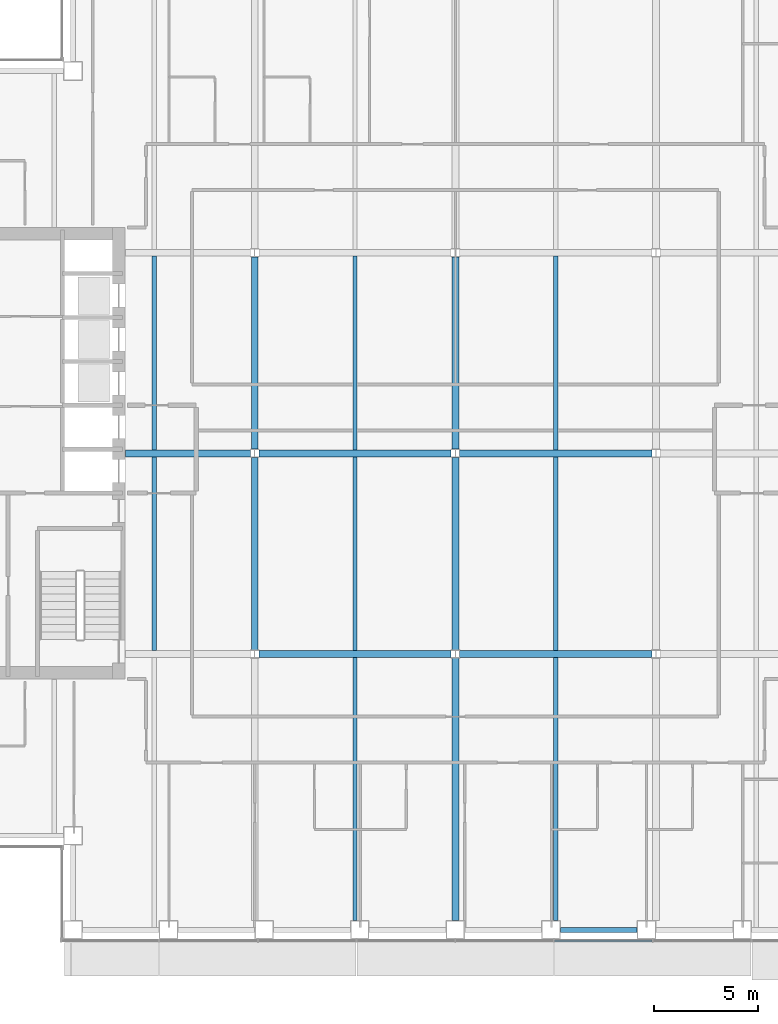
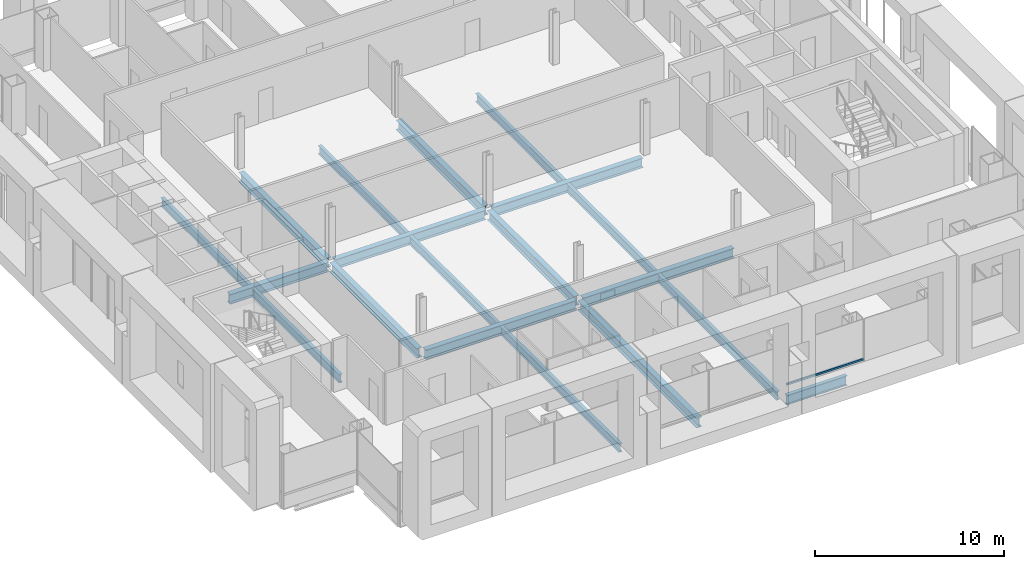
# One storey, part 3 of 19: 19 beams, 1 member, 1 element without a shape of its own.
"""IFC4 building model written with IfcOpenShell, lengths in metres."""

from ifc_helpers import new_model, si_unit, direction, frame, origin, origin_2d, place, context, subcontext, project, spatial, rectangle, i_section, extrude, material, material_profile, profile_set, type_object, element, aggregate, save


model = new_model("IFC4")

# Units and contexts
model_context = context("Model", 3, precision=1e-05, world=origin(), true_north=direction((0.0, 1.0)))
body_context = subcontext(model_context, "Body", "Model", "MODEL_VIEW")
ifc_project = project(units=[si_unit("LENGTHUNIT", "METRE"), si_unit("AREAUNIT", "SQUARE_METRE"), si_unit("VOLUMEUNIT", "CUBIC_METRE"), si_unit("PLANEANGLEUNIT", "RADIAN"), si_unit("MASSUNIT", "GRAM", prefix="KILO")], contexts=[model_context])

# Site, building, storey
site_placement = place(None, origin())
site = spatial("IfcSite", under=ifc_project, at=site_placement, CompositionType="ELEMENT")
building_placement = place(site_placement, origin())
building = spatial("IfcBuilding", under=site, at=building_placement, Name="Cobrizo Arcos Hotel Tower", CompositionType="ELEMENT")
storey_placement = place(building_placement, frame((0.0, 0.0, 103.0)))
storey = spatial("IfcBuildingStorey", under=building, at=storey_placement, Name="L25", CompositionType="ELEMENT", Elevation=103.0)

# Curtain wall, member
ifc_material_1 = material(Name="Aluminium 6063-T6 anodised bronze", Category="aluminium")
curtain_wall_type = type_object("IfcCurtainWallType", Name="CW-A guest facade", PredefinedType="NOTDEFINED", material=ifc_material_1)
curtain_wall_placement = place(storey_placement, origin())
curtain_wall = element("IfcCurtainWall", 1, at=curtain_wall_placement, inside=storey, type_object=curtain_wall_type, Name="CW-A L25 S face", PredefinedType="NOTDEFINED")
ifc_material_profile_1 = material_profile(ifc_material_1, rectangle(XDim=0.10009765625, YDim=0.1201171875, at=origin_2d()), Name="CW-A transom 120x100")
ifc_profile_set_1 = profile_set([ifc_material_profile_1], Name="Aluminium 6063-T6 anodised bronze")
member_type = type_object("IfcMemberType", Name="CW-A transom 120x100", PredefinedType="USERDEFINED", material=ifc_profile_set_1)
member_placement = place(storey_placement, frame((4.7548828125, -23.324951171875, 0.929931640625), z_axis=(1.0, 0.0, 0.0), x_axis=(0.0, 1.0, 0.0)))
member = element("IfcMember", 2, at=member_placement, type_object=member_type, Name="CW-A transom 984", ObjectType="TRANSOM", PredefinedType="USERDEFINED", context=body_context, shape_type="SweptSolid", body=[
    extrude(rectangle(XDim=0.10009765625, YDim=0.1201171875, at=origin_2d()), origin(), (0.0, 0.0, 1.0), 4.6650390625),
])
aggregate(curtain_wall, [member])

# Beams
ifc_material_2 = material(Name="Steel ASTM A992 Grade 50", Category="steel")
ifc_material_profile_2 = material_profile(ifc_material_2, i_section(OverallWidth=0.209228515625, OverallDepth=0.533447265625, WebThickness=0.01025390625, FlangeThickness=0.015625, at=origin_2d()), Name="W21X62")
ifc_profile_set_2 = profile_set([ifc_material_profile_2], Name="Steel ASTM A992 Grade 50")
beam_type_1 = type_object("IfcBeamType", Name="W21X62 joist", PredefinedType="JOIST", material=ifc_profile_set_2)
for number, where, z_axis, x_axis, name in (
    (3, (-14.39990234375, -9.43603515625, -0.416748046875), (0.0, 1.0, 0.0), (-1.0, 0.0, 0.0), "Floor joist J1, L25, no. 004"),
    (4, (-14.39990234375, 0.163818359375, -0.416748046875), (0.0, 1.0, 0.0), (-1.0, 0.0, 0.0), "Floor joist J1, L25, no. 005"),
):
    element("IfcBeam", number, at=place(storey_placement, frame(where, z_axis=z_axis, x_axis=x_axis)), inside=storey, type_object=beam_type_1, Name=name, PredefinedType="JOIST", context=body_context, shape_type="SweptSolid", body=[
        extrude(i_section(OverallWidth=0.209228515625, OverallDepth=0.533447265625, WebThickness=0.01025390625, FlangeThickness=0.015625, at=origin_2d()), origin(), (0.0, 0.0, 1.0), 9.272216796875),
    ])
beam_1_placement = place(storey_placement, frame((-4.800048828125, -22.35009765625, -0.416748046875), z_axis=(0.0, 1.0, 0.0), x_axis=(-1.0, 0.0, 0.0)))
element("IfcBeam", 5, at=beam_1_placement, inside=storey, type_object=beam_type_1, Name="Floor joist J1, L25, no. 007", PredefinedType="JOIST", context=body_context, shape_type="SweptSolid", body=[
    extrude(i_section(OverallWidth=0.209228515625, OverallDepth=0.533447265625, WebThickness=0.01025390625, FlangeThickness=0.015625, at=origin_2d()), origin(), (0.0, 0.0, 1.0), 12.586181640625),
])
for number, where, z_axis, x_axis, name in (
    (6, (-4.800048828125, -9.43603515625, -0.416748046875), (0.0, 1.0, 0.0), (-1.0, 0.0, 0.0), "Floor joist J1, L25, no. 008"),
    (7, (-4.800048828125, 0.163818359375, -0.416748046875), (0.0, 1.0, 0.0), (-1.0, 0.0, 0.0), "Floor joist J1, L25, no. 009"),
):
    element("IfcBeam", number, at=place(storey_placement, frame(where, z_axis=z_axis, x_axis=x_axis)), inside=storey, type_object=beam_type_1, Name=name, PredefinedType="JOIST", context=body_context, shape_type="SweptSolid", body=[
        extrude(i_section(OverallWidth=0.209228515625, OverallDepth=0.533447265625, WebThickness=0.01025390625, FlangeThickness=0.015625, at=origin_2d()), origin(), (0.0, 0.0, 1.0), 9.272216796875),
    ])
beam_2_placement = place(storey_placement, frame((4.800048828125, -22.35009765625, -0.416748046875), z_axis=(0.0, 1.0, 0.0), x_axis=(-1.0, 0.0, 0.0)))
element("IfcBeam", 8, at=beam_2_placement, inside=storey, type_object=beam_type_1, Name="Floor joist J1, L25, no. 011", PredefinedType="JOIST", context=body_context, shape_type="SweptSolid", body=[
    extrude(i_section(OverallWidth=0.209228515625, OverallDepth=0.533447265625, WebThickness=0.01025390625, FlangeThickness=0.015625, at=origin_2d()), origin(), (0.0, 0.0, 1.0), 12.586181640625),
])
for number, where, z_axis, x_axis, name in (
    (9, (4.800048828125, -9.43603515625, -0.416748046875), (0.0, 1.0, 0.0), (-1.0, 0.0, 0.0), "Floor joist J1, L25, no. 012"),
    (10, (4.800048828125, 0.163818359375, -0.416748046875), (0.0, 1.0, 0.0), (-1.0, 0.0, 0.0), "Floor joist J1, L25, no. 013"),
):
    element("IfcBeam", number, at=place(storey_placement, frame(where, z_axis=z_axis, x_axis=x_axis)), inside=storey, type_object=beam_type_1, Name=name, PredefinedType="JOIST", context=body_context, shape_type="SweptSolid", body=[
        extrude(i_section(OverallWidth=0.209228515625, OverallDepth=0.533447265625, WebThickness=0.01025390625, FlangeThickness=0.015625, at=origin_2d()), origin(), (0.0, 0.0, 1.0), 9.272216796875),
    ])
ifc_material_profile_3 = material_profile(ifc_material_2, i_section(OverallWidth=0.32763671875, OverallDepth=0.622314453125, WebThickness=0.015380859375, FlangeThickness=0.0244140625, at=origin_2d()), Name="W24X131")
ifc_profile_set_3 = profile_set([ifc_material_profile_3], Name="Steel ASTM A992 Grade 50")
beam_type_2 = type_object("IfcBeamType", Name="W24X131 girder", PredefinedType="BEAM", material=ifc_profile_set_3)
for number, where, z_axis, x_axis, name in (
    (11, (-9.400634765625, -9.60009765625, -0.461181640625), (1.0, 0.0, 0.0), (0.0, 1.0, 0.0), "Floor girder G1, L25, no. 002"),
    (12, (0.199462890625, -9.60009765625, -0.461181640625), (1.0, 0.0, 0.0), (0.0, 1.0, 0.0), "Floor girder G1, L25, no. 003"),
):
    element("IfcBeam", number, at=place(storey_placement, frame(where, z_axis=z_axis, x_axis=x_axis)), inside=storey, type_object=beam_type_2, Name=name, PredefinedType="BEAM", context=body_context, shape_type="SweptSolid", body=[
        extrude(i_section(OverallWidth=0.32763671875, OverallDepth=0.622314453125, WebThickness=0.015380859375, FlangeThickness=0.0244140625, at=origin_2d()), origin(), (0.0, 0.0, 1.0), 9.201171875),
    ])
beam_3_placement = place(storey_placement, frame((-15.7900390625, 0.0, -0.461181640625), z_axis=(1.0, 0.0, 0.0), x_axis=(0.0, 1.0, 0.0)))
element("IfcBeam", 13, at=beam_3_placement, inside=storey, type_object=beam_type_2, Name="Floor girder G1, L25, no. 005", PredefinedType="BEAM", context=body_context, shape_type="SweptSolid", body=[
    extrude(i_section(OverallWidth=0.32763671875, OverallDepth=0.622314453125, WebThickness=0.015380859375, FlangeThickness=0.0244140625, at=origin_2d()), origin(), (0.0, 0.0, 1.0), 5.99072265625),
])
for number, where, z_axis, x_axis, name in (
    (14, (-9.400634765625, 0.0, -0.461181640625), (1.0, 0.0, 0.0), (0.0, 1.0, 0.0), "Floor girder G1, L25, no. 006"),
    (15, (0.199462890625, 0.0, -0.461181640625), (1.0, 0.0, 0.0), (0.0, 1.0, 0.0), "Floor girder G1, L25, no. 007"),
    (16, (-9.60009765625, -9.400634765625, -0.461181640625), (0.0, 1.0, 0.0), (-1.0, 0.0, 0.0), "Floor girder G1, L25, no. 014"),
    (17, (-9.60009765625, 0.199462890625, -0.461181640625), (0.0, 1.0, 0.0), (-1.0, 0.0, 0.0), "Floor girder G1, L25, no. 015"),
):
    element("IfcBeam", number, at=place(storey_placement, frame(where, z_axis=z_axis, x_axis=x_axis)), inside=storey, type_object=beam_type_2, Name=name, PredefinedType="BEAM", context=body_context, shape_type="SweptSolid", body=[
        extrude(i_section(OverallWidth=0.32763671875, OverallDepth=0.622314453125, WebThickness=0.015380859375, FlangeThickness=0.0244140625, at=origin_2d()), origin(), (0.0, 0.0, 1.0), 9.201171875),
    ])
beam_4_placement = place(storey_placement, frame((0.0, -22.35009765625, -0.461181640625), z_axis=(0.0, 1.0, 0.0), x_axis=(-1.0, 0.0, 0.0)))
element("IfcBeam", 18, at=beam_4_placement, inside=storey, type_object=beam_type_2, Name="Floor girder G1, L25, no. 017", PredefinedType="BEAM", context=body_context, shape_type="SweptSolid", body=[
    extrude(i_section(OverallWidth=0.32763671875, OverallDepth=0.622314453125, WebThickness=0.015380859375, FlangeThickness=0.0244140625, at=origin_2d()), origin(), (0.0, 0.0, 1.0), 12.55078125),
])
for number, where, z_axis, x_axis, name in (
    (19, (0.0, -9.400634765625, -0.461181640625), (0.0, 1.0, 0.0), (-1.0, 0.0, 0.0), "Floor girder G1, L25, no. 018"),
    (20, (0.0, 0.199462890625, -0.461181640625), (0.0, 1.0, 0.0), (-1.0, 0.0, 0.0), "Floor girder G1, L25, no. 019"),
):
    element("IfcBeam", number, at=place(storey_placement, frame(where, z_axis=z_axis, x_axis=x_axis)), inside=storey, type_object=beam_type_2, Name=name, PredefinedType="BEAM", context=body_context, shape_type="SweptSolid", body=[
        extrude(i_section(OverallWidth=0.32763671875, OverallDepth=0.622314453125, WebThickness=0.015380859375, FlangeThickness=0.0244140625, at=origin_2d()), origin(), (0.0, 0.0, 1.0), 9.201171875),
    ])
ifc_material_profile_4 = material_profile(ifc_material_2, i_section(OverallWidth=0.23046875, OverallDepth=0.6171875, WebThickness=0.01318359375, FlangeThickness=0.022216796875, at=origin_2d()), Name="W24X94")
ifc_profile_set_4 = profile_set([ifc_material_profile_4], Name="Steel ASTM A992 Grade 50")
beam_type_3 = type_object("IfcBeamType", Name="W24X94 spandrel", PredefinedType="SPANDREL", material=ifc_profile_set_4)
beam_5_placement = place(storey_placement, frame((5.02490234375, -22.800048828125, -0.45849609375), z_axis=(1.0, 0.0, 0.0), x_axis=(0.0, 1.0, 0.0)))
element("IfcBeam", 21, at=beam_5_placement, inside=storey, type_object=beam_type_3, Name="Spandrel beam W24X94, L25, no. 006", PredefinedType="SPANDREL", context=body_context, shape_type="SweptSolid", body=[
    extrude(i_section(OverallWidth=0.23046875, OverallDepth=0.6171875, WebThickness=0.01318359375, FlangeThickness=0.022216796875, at=origin_2d()), origin(), (0.0, 0.0, 1.0), 3.675048828125),
])

save(model, "model.ifc")
